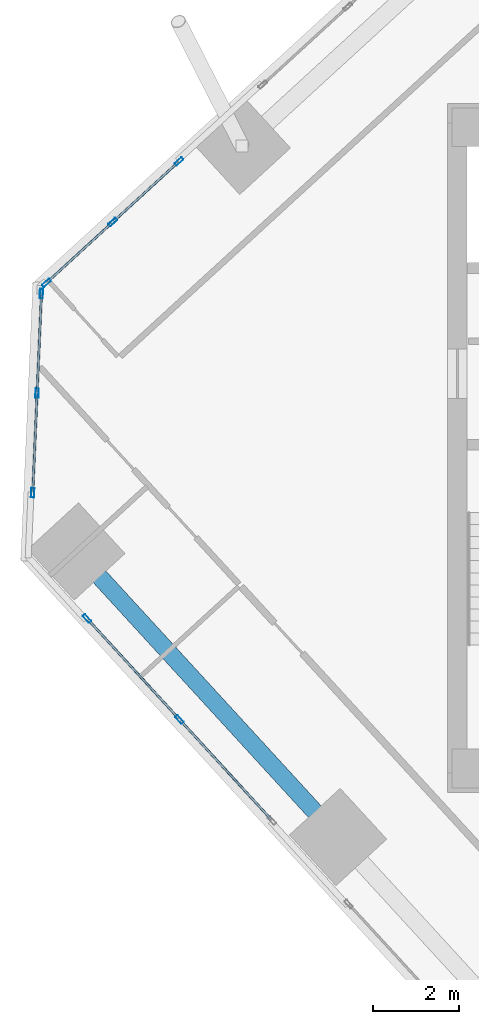
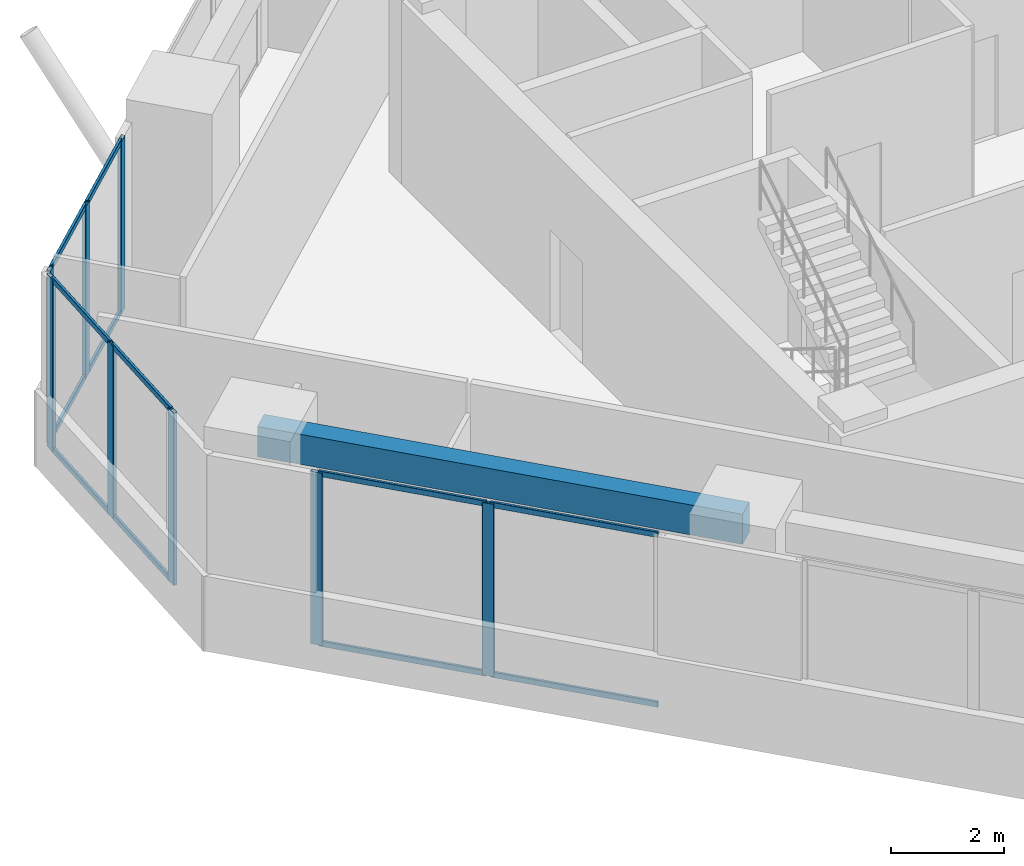
# One storey, part 4 of 16: 20 members, 1 beam, 3 elements without a shape of their own.
"""IFC4 building model written with IfcOpenShell, lengths in metres."""

from ifc_helpers import new_model, si_unit, direction, frame, origin, origin_2d, place, context, subcontext, project, spatial, rectangle, hollow_rectangle, extrude, source, transform, mapped, material, material_profile, profile_set, type_object, element, aggregate, save


model = new_model("IFC4")

# Units and contexts
model_context = context("Model", 3, precision=1e-05, world=origin(), true_north=direction((0.0, 1.0)))
body_context = subcontext(model_context, "Body", "Model", "MODEL_VIEW")
ifc_project = project(units=[si_unit("LENGTHUNIT", "METRE"), si_unit("AREAUNIT", "SQUARE_METRE"), si_unit("VOLUMEUNIT", "CUBIC_METRE"), si_unit("PLANEANGLEUNIT", "RADIAN"), si_unit("MASSUNIT", "GRAM", prefix="KILO")], contexts=[model_context])

# Site, building, storey
site_placement = place(None, origin())
site = spatial("IfcSite", under=ifc_project, at=site_placement, CompositionType="ELEMENT")
building_placement = place(site_placement, origin())
building = spatial("IfcBuilding", under=site, at=building_placement, Name="Torre Montelarca", CompositionType="ELEMENT")
storey_placement = place(building_placement, frame((0.0, 0.0, 262.60009765625)))
storey = spatial("IfcBuildingStorey", under=building, at=storey_placement, Name="L59", CompositionType="ELEMENT", Elevation=262.60009765625)

# Beam
ifc_material_1 = material(Name="Concrete C40/50", Category="concrete")
ifc_material_profile_1 = material_profile(ifc_material_1, rectangle(XDim=0.39990234375, YDim=0.64990234375, at=origin_2d()), Name="RCB400X650", Category="concrete")
ifc_profile_set_1 = profile_set([ifc_material_profile_1], Name="Concrete C40/50")
beam_type = type_object("IfcBeamType", Name="BM-SP-RC650-EXT", PredefinedType="SPANDREL", material=ifc_profile_set_1)
shared_shape_1 = source(origin(), body_context, "Body", "SweptSolid", [
    extrude(rectangle(XDim=0.39990234375, YDim=0.64990234375, at=origin_2d()), origin(), (0.0, 0.0, 1.0), 9.0),
])
beam_placement = place(storey_placement, frame((0.3740234375, 29.595703125, 3.635009765625), z_axis=(0.675590724023, -0.73727686361, 0.0), x_axis=(0.73727686361, 0.675590724023, 0.0)))
element("IfcBeam", 1, at=beam_placement, inside=storey, type_object=beam_type, Name="L59 Grid Girder X 9.0-18.0 at Y=14.8", PredefinedType="SPANDREL", context=body_context, shape_type="MappedRepresentation", body=[
    mapped(shared_shape_1, transform((0.0, 0.0, 0.0), scale=1.0)),
])

# Curtain wall, members
ifc_material_2 = material(Name="Insulated low-E laminated glass", Category="glass")
curtain_wall_type = type_object("IfcCurtainWallType", Name="CW-SYS-Z3", PredefinedType="USERDEFINED", material=ifc_material_2)
curtain_wall_1_placement = place(storey_placement, origin())
curtain_wall_1 = element("IfcCurtainWall", 2, at=curtain_wall_1_placement, inside=storey, type_object=curtain_wall_type, Name="L59 Curtain Wall Run CW-T3-L59-E01-B1", ObjectType="UNITISED GLAZING", PredefinedType="USERDEFINED")
ifc_material_3 = material(Name="Anodised aluminium AA 6063-T6", Category="aluminium")
ifc_material_profile_2 = material_profile(ifc_material_3, hollow_rectangle(XDim=0.074951171875, YDim=0.219970703125, WallThickness=0.0048828125, InnerFilletRadius=0.0048828125, OuterFilletRadius=0.010009765625, at=origin_2d()), Name="ALU75X220X5", Category="aluminium")
ifc_profile_set_2 = profile_set([ifc_material_profile_2], Name="Anodised aluminium AA 6063-T6")
member_type_1 = type_object("IfcMemberType", Name="CWM-ALU220", PredefinedType="MULLION", material=ifc_profile_set_2)
shared_shape_2 = source(origin(), body_context, "Body", "SweptSolid", [
    extrude(hollow_rectangle(XDim=0.074951171875, YDim=0.219970703125, WallThickness=0.0048828125, InnerFilletRadius=0.0048828125, OuterFilletRadius=0.010009765625, at=origin_2d()), origin(), (0.0, 0.0, 1.0), 3.719970703125),
])
member_1_placement = place(storey_placement, frame((0.62255859375, 28.03662109375, 0.0), z_axis=(0.0, 0.0, 1.0), x_axis=(0.737279815472, 0.675587502621, 0.0)))
member_1 = element("IfcMember", 3, at=member_1_placement, type_object=member_type_1, Name="CW mullion 1", PredefinedType="MULLION", context=body_context, shape_type="MappedRepresentation", body=[
    mapped(shared_shape_2, transform((0.0, 0.0, 0.0), scale=1.0)),
])
member_2_placement = place(storey_placement, frame((2.772705078125, 25.690185546875, 0.0), z_axis=(0.0, 0.0, 1.0), x_axis=(0.737279815472, 0.675587502621, 0.0)))
member_2 = element("IfcMember", 4, at=member_2_placement, type_object=member_type_1, Name="CW mullion 2", PredefinedType="MULLION", context=body_context, shape_type="MappedRepresentation", body=[
    mapped(shared_shape_2, transform((0.0, 0.0, 0.0), scale=1.0)),
])

curtain_wall_2_placement = place(storey_placement, origin())
curtain_wall_2 = element("IfcCurtainWall", 5, at=curtain_wall_2_placement, inside=storey, type_object=curtain_wall_type, Name="L59 Curtain Wall Run CW-T3-L59-E10-B3", ObjectType="UNITISED GLAZING", PredefinedType="USERDEFINED")
member_3_placement = place(storey_placement, frame((2.76025390625, 38.6591796875, 0.0), z_axis=(0.0, 0.0, 1.0), x_axis=(0.675581984074, -0.737284872213, 0.0)))
member_3 = element("IfcMember", 6, at=member_3_placement, type_object=member_type_1, Name="CW mullion 1", PredefinedType="MULLION", context=body_context, shape_type="MappedRepresentation", body=[
    mapped(shared_shape_2, transform((0.0, 0.0, 0.0), scale=1.0)),
])
member_4_placement = place(storey_placement, frame((1.2197265625, 37.24755859375, 0.0), z_axis=(0.0, 0.0, 1.0), x_axis=(0.675581984074, -0.737284872213, 0.0)))
member_4 = element("IfcMember", 7, at=member_4_placement, type_object=member_type_1, Name="CW mullion 2", PredefinedType="MULLION", context=body_context, shape_type="MappedRepresentation", body=[
    mapped(shared_shape_2, transform((0.0, 0.0, 0.0), scale=1.0)),
])
member_5_placement = place(storey_placement, frame((-0.321044921875, 35.835693359375, 0.0), z_axis=(0.0, 0.0, 1.0), x_axis=(0.675581984074, -0.737284872213, 0.0)))
member_5 = element("IfcMember", 8, at=member_5_placement, type_object=member_type_1, Name="CW mullion 3", PredefinedType="MULLION", context=body_context, shape_type="MappedRepresentation", body=[
    mapped(shared_shape_2, transform((0.0, 0.0, 0.0), scale=1.0)),
])

curtain_wall_3_placement = place(storey_placement, origin())
curtain_wall_3 = element("IfcCurtainWall", 9, at=curtain_wall_3_placement, inside=storey, type_object=curtain_wall_type, Name="L59 Curtain Wall Run CW-T3-L59-E11-B1", ObjectType="UNITISED GLAZING", PredefinedType="USERDEFINED")
member_6_placement = place(storey_placement, frame((-0.437744140625, 35.58544921875, 0.0), z_axis=(0.0, 0.0, 1.0), x_axis=(0.999047921126, -0.043626268384, 0.0)))
member_6 = element("IfcMember", 10, at=member_6_placement, type_object=member_type_1, Name="CW mullion 1", PredefinedType="MULLION", context=body_context, shape_type="MappedRepresentation", body=[
    mapped(shared_shape_2, transform((0.0, 0.0, 0.0), scale=1.0)),
])
member_7_placement = place(storey_placement, frame((-0.53857421875, 33.272216796875, 0.0), z_axis=(0.0, 0.0, 1.0), x_axis=(0.999047921126, -0.043626268384, 0.0)))
member_7 = element("IfcMember", 11, at=member_7_placement, type_object=member_type_1, Name="CW mullion 2", PredefinedType="MULLION", context=body_context, shape_type="MappedRepresentation", body=[
    mapped(shared_shape_2, transform((0.0, 0.0, 0.0), scale=1.0)),
])
member_8_placement = place(storey_placement, frame((-0.6396484375, 30.958984375, 0.0), z_axis=(0.0, 0.0, 1.0), x_axis=(0.999047921126, -0.043626268384, 0.0)))
member_8 = element("IfcMember", 12, at=member_8_placement, type_object=member_type_1, Name="CW mullion 3", PredefinedType="MULLION", context=body_context, shape_type="MappedRepresentation", body=[
    mapped(shared_shape_2, transform((0.0, 0.0, 0.0), scale=1.0)),
])

# Member
ifc_material_profile_3 = material_profile(ifc_material_3, hollow_rectangle(XDim=0.054931640625, YDim=0.1201171875, WallThickness=0.00341796875, InnerFilletRadius=0.00341796875, OuterFilletRadius=0.007080078125, at=origin_2d()), Name="ALU55X120X3.5", Category="aluminium")
ifc_profile_set_3 = profile_set([ifc_material_profile_3], Name="Anodised aluminium AA 6063-T6")
member_type_2 = type_object("IfcMemberType", Name="CWT-ALU120", PredefinedType="USERDEFINED", material=ifc_profile_set_3)
shared_shape_3 = source(origin(), body_context, "Body", "SweptSolid", [
    extrude(hollow_rectangle(XDim=0.054931640625, YDim=0.1201171875, WallThickness=0.00341796875, InnerFilletRadius=0.00341796875, OuterFilletRadius=0.007080078125, at=origin_2d()), origin(), (0.0, 0.0, 1.0), 3.107421875),
])
member_9_placement = place(storey_placement, frame((0.64794921875, 28.009033203125, 0.02734375), z_axis=(0.675596539491, -0.737271534665, 0.0), x_axis=(0.737271534665, 0.675596539491, 0.0)))
member_9 = element("IfcMember", 13, at=member_9_placement, type_object=member_type_2, Name="CW transom 1.1", ObjectType="TRANSOM", PredefinedType="USERDEFINED", context=body_context, shape_type="MappedRepresentation", body=[
    mapped(shared_shape_3, transform((0.0, 0.0, 0.0), scale=1.0)),
])

member_10_placement = place(storey_placement, frame((0.64794921875, 28.009033203125, 3.6923828125), z_axis=(0.675596539491, -0.737271534665, 0.0), x_axis=(0.737271534665, 0.675596539491, 0.0)))
member_10 = element("IfcMember", 14, at=member_10_placement, type_object=member_type_2, Name="CW transom 1.2", ObjectType="TRANSOM", PredefinedType="USERDEFINED", context=body_context, shape_type="MappedRepresentation", body=[
    mapped(shared_shape_3, transform((0.0, 0.0, 0.0), scale=1.0)),
])

member_11_placement = place(storey_placement, frame((2.798095703125, 25.66259765625, 0.02734375), z_axis=(0.675596539491, -0.737271534665, 0.0), x_axis=(0.737271534665, 0.675596539491, 0.0)))
member_11 = element("IfcMember", 15, at=member_11_placement, type_object=member_type_2, Name="CW transom 2.1", ObjectType="TRANSOM", PredefinedType="USERDEFINED", context=body_context, shape_type="MappedRepresentation", body=[
    mapped(shared_shape_3, transform((0.0, 0.0, 0.0), scale=1.0)),
])

member_12_placement = place(storey_placement, frame((2.798095703125, 25.66259765625, 3.6923828125), z_axis=(0.675596539491, -0.737271534665, 0.0), x_axis=(0.737271534665, 0.675596539491, 0.0)))
member_12 = element("IfcMember", 16, at=member_12_placement, type_object=member_type_2, Name="CW transom 2.2", ObjectType="TRANSOM", PredefinedType="USERDEFINED", context=body_context, shape_type="MappedRepresentation", body=[
    mapped(shared_shape_3, transform((0.0, 0.0, 0.0), scale=1.0)),
])

aggregate(curtain_wall_1, [member_1, member_2, member_9, member_10, member_11, member_12])

shared_shape_4 = source(origin(), body_context, "Body", "SweptSolid", [
    extrude(hollow_rectangle(XDim=0.054931640625, YDim=0.1201171875, WallThickness=0.00341796875, InnerFilletRadius=0.00341796875, OuterFilletRadius=0.007080078125, at=origin_2d()), origin(), (0.0, 0.0, 1.0), 2.240478515625),
])
member_13_placement = place(storey_placement, frame((-0.439208984375, 35.5478515625, 0.02734375), z_axis=(-0.043697313623, -0.999044816203, 0.0), x_axis=(0.999044816203, -0.043697313623, 0.0)))
member_13 = element("IfcMember", 17, at=member_13_placement, type_object=member_type_2, Name="CW transom 1.1", ObjectType="TRANSOM", PredefinedType="USERDEFINED", context=body_context, shape_type="MappedRepresentation", body=[
    mapped(shared_shape_4, transform((0.0, 0.0, 0.0), scale=1.0)),
])

member_14_placement = place(storey_placement, frame((-0.439208984375, 35.5478515625, 3.6923828125), z_axis=(-0.043697313623, -0.999044816203, 0.0), x_axis=(0.999044816203, -0.043697313623, 0.0)))
member_14 = element("IfcMember", 18, at=member_14_placement, type_object=member_type_2, Name="CW transom 1.2", ObjectType="TRANSOM", PredefinedType="USERDEFINED", context=body_context, shape_type="MappedRepresentation", body=[
    mapped(shared_shape_4, transform((0.0, 0.0, 0.0), scale=1.0)),
])

member_15_placement = place(storey_placement, frame((-0.540283203125, 33.234619140625, 0.02734375), z_axis=(-0.043588550065, -0.999049567491, 0.0), x_axis=(0.999049567491, -0.043588550065, 0.0)))
member_15 = element("IfcMember", 19, at=member_15_placement, type_object=member_type_2, Name="CW transom 2.1", ObjectType="TRANSOM", PredefinedType="USERDEFINED", context=body_context, shape_type="MappedRepresentation", body=[
    mapped(shared_shape_4, transform((0.0, 0.0, 0.0), scale=1.0)),
])

member_16_placement = place(storey_placement, frame((-0.540283203125, 33.234619140625, 3.6923828125), z_axis=(-0.043588550065, -0.999049567491, 0.0), x_axis=(0.999049567491, -0.043588550065, 0.0)))
member_16 = element("IfcMember", 20, at=member_16_placement, type_object=member_type_2, Name="CW transom 2.2", ObjectType="TRANSOM", PredefinedType="USERDEFINED", context=body_context, shape_type="MappedRepresentation", body=[
    mapped(shared_shape_4, transform((0.0, 0.0, 0.0), scale=1.0)),
])

aggregate(curtain_wall_3, [member_6, member_7, member_8, member_13, member_14, member_15, member_16])

shared_shape_5 = source(origin(), body_context, "Body", "SweptSolid", [
    extrude(hollow_rectangle(XDim=0.054931640625, YDim=0.1201171875, WallThickness=0.00341796875, InnerFilletRadius=0.00341796875, OuterFilletRadius=0.007080078125, at=origin_2d()), origin(), (0.0, 0.0, 1.0), 2.0146484375),
])
member_17_placement = place(storey_placement, frame((2.732666015625, 38.6337890625, 0.02734375), z_axis=(-0.737274853729, -0.675592917413, 0.0), x_axis=(0.675592917413, -0.737274853729, 0.0)))
member_17 = element("IfcMember", 21, at=member_17_placement, type_object=member_type_2, Name="CW transom 1.1", ObjectType="TRANSOM", PredefinedType="USERDEFINED", context=body_context, shape_type="MappedRepresentation", body=[
    mapped(shared_shape_5, transform((0.0, 0.0, 0.0), scale=1.0)),
])

member_18_placement = place(storey_placement, frame((2.732666015625, 38.6337890625, 3.6923828125), z_axis=(-0.737274853729, -0.675592917413, 0.0), x_axis=(0.675592917413, -0.737274853729, 0.0)))
member_18 = element("IfcMember", 22, at=member_18_placement, type_object=member_type_2, Name="CW transom 1.2", ObjectType="TRANSOM", PredefinedType="USERDEFINED", context=body_context, shape_type="MappedRepresentation", body=[
    mapped(shared_shape_5, transform((0.0, 0.0, 0.0), scale=1.0)),
])

member_19_placement = place(storey_placement, frame((1.192138671875, 37.22216796875, 0.02734375), z_axis=(-0.737274853729, -0.675592917413, 0.0), x_axis=(0.675592917413, -0.737274853729, 0.0)))
member_19 = element("IfcMember", 23, at=member_19_placement, type_object=member_type_2, Name="CW transom 2.1", ObjectType="TRANSOM", PredefinedType="USERDEFINED", context=body_context, shape_type="MappedRepresentation", body=[
    mapped(shared_shape_5, transform((0.0, 0.0, 0.0), scale=1.0)),
])

member_20_placement = place(storey_placement, frame((1.192138671875, 37.22216796875, 3.6923828125), z_axis=(-0.737274853729, -0.675592917413, 0.0), x_axis=(0.675592917413, -0.737274853729, 0.0)))
member_20 = element("IfcMember", 24, at=member_20_placement, type_object=member_type_2, Name="CW transom 2.2", ObjectType="TRANSOM", PredefinedType="USERDEFINED", context=body_context, shape_type="MappedRepresentation", body=[
    mapped(shared_shape_5, transform((0.0, 0.0, 0.0), scale=1.0)),
])

aggregate(curtain_wall_2, [member_3, member_4, member_5, member_17, member_18, member_19, member_20])

save(model, "model.ifc")
